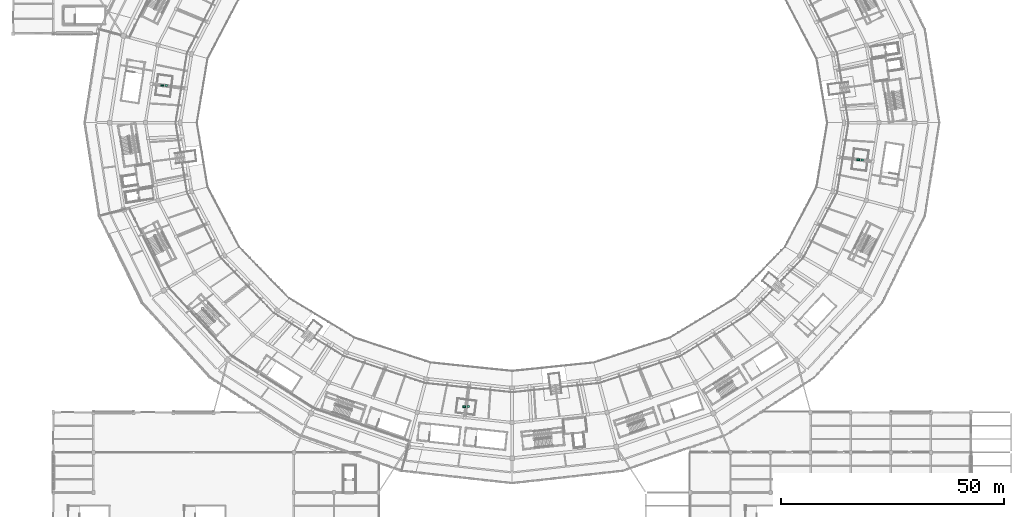
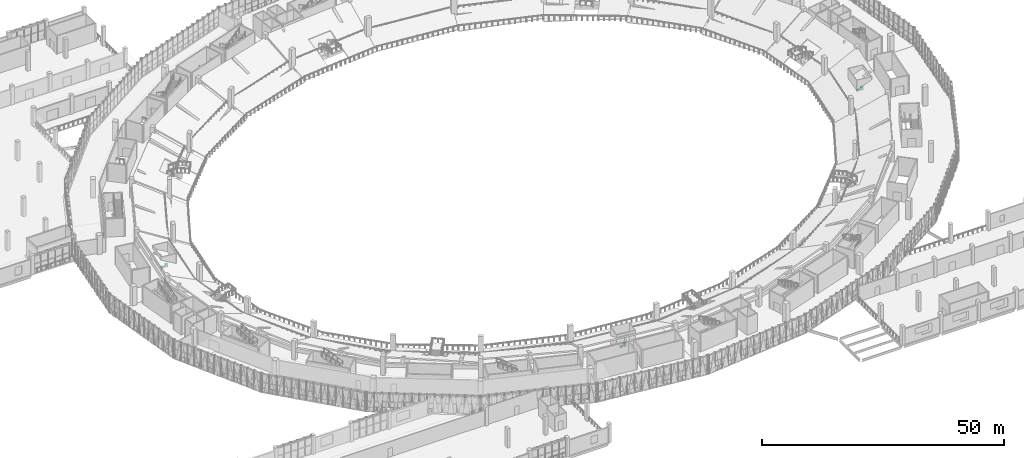
# One storey, part 152 of 152: 6 sanitary terminals.
"""IFC4 building model written with IfcOpenShell, lengths in metres."""

from ifc_helpers import new_model, si_unit, direction, frame, origin, origin_2d, place, context, subcontext, project, spatial, rectangle, extrude, material, type_object, element, save


model = new_model("IFC4")

# Units and contexts
model_context = context("Model", 3, precision=1e-05, world=origin(), true_north=direction((0.0, 1.0)))
body_context = subcontext(model_context, "Body", "Model", "MODEL_VIEW")
ifc_project = project(units=[si_unit("LENGTHUNIT", "METRE"), si_unit("AREAUNIT", "SQUARE_METRE"), si_unit("VOLUMEUNIT", "CUBIC_METRE"), si_unit("PLANEANGLEUNIT", "RADIAN"), si_unit("MASSUNIT", "GRAM", prefix="KILO")], contexts=[model_context])

# Site, building, storey
site_placement = place(None, origin())
site = spatial("IfcSite", under=ifc_project, at=site_placement, CompositionType="ELEMENT")
building_placement = place(site_placement, origin())
building = spatial("IfcBuilding", under=site, at=building_placement, Name="Zevraka Park Crest Stadium", CompositionType="ELEMENT")
storey_placement = place(building_placement, frame((0.0, 0.0, 15.0)))
storey = spatial("IfcBuildingStorey", under=building, at=storey_placement, Name="L03", CompositionType="ELEMENT", Elevation=15.0)

# Sanitary terminals
ifc_material_1 = material(Name="Vitreous china sanitaryware", Category="other")
sanitary_terminal_type_1 = type_object("IfcSanitaryTerminalType", Name="SAN02", PredefinedType="WASHHANDBASIN", material=ifc_material_1)
for number, where, z_axis, x_axis, name in (
    (1, (190.575927734375, 83.672119140625, 0.0), (0.0, 0.0, 1.0), (1.0, 0.0, 0.0), "Washhand Basin L03-001"),
    (2, (34.323974609375, 100.327880859375, 0.0), (0.0, 0.0, 1.0), (1.0, 0.0, 0.0), "Washhand Basin L03-002"),
    (3, (102.09912109375, 28.25, 0.0), (0.0, 0.0, 1.0), (1.0, 0.0, 0.0), "Washhand Basin L03-003"),
):
    element("IfcSanitaryTerminal", number, at=place(storey_placement, frame(where, z_axis=z_axis, x_axis=x_axis)), inside=storey, type_object=sanitary_terminal_type_1, Name=name, PredefinedType="WASHHANDBASIN", context=body_context, shape_type="SweptSolid", body=[
        extrude(rectangle(XDim=0.550048828125, YDim=0.449951171875, at=origin_2d()), origin(), (0.0, 0.0, 1.0), 0.85009765625),
    ])
ifc_material_2 = material(Name="Vitreous china sanitaryware", Category="other")
sanitary_terminal_type_2 = type_object("IfcSanitaryTerminalType", Name="WC01", PredefinedType="TOILETPAN", material=ifc_material_2)
for number, where, z_axis, x_axis, name in (
    (4, (189.676025390625, 83.672119140625, 0.0), (0.0, 0.0, 1.0), (1.0, 0.0, 0.0), "WC Pan L03-001"),
    (5, (33.424072265625, 100.327880859375, 0.0), (0.0, 0.0, 1.0), (1.0, 0.0, 0.0), "WC Pan L03-002"),
    (6, (101.198974609375, 28.25, 0.0), (0.0, 0.0, 1.0), (1.0, 0.0, 0.0), "WC Pan L03-003"),
):
    element("IfcSanitaryTerminal", number, at=place(storey_placement, frame(where, z_axis=z_axis, x_axis=x_axis)), inside=storey, type_object=sanitary_terminal_type_2, Name=name, PredefinedType="TOILETPAN", context=body_context, shape_type="SweptSolid", body=[
        extrude(rectangle(XDim=0.679931640625, YDim=0.3798828125, at=origin_2d()), origin(), (0.0, 0.0, 1.0), 0.419921875),
    ])

save(model, "model.ifc")
